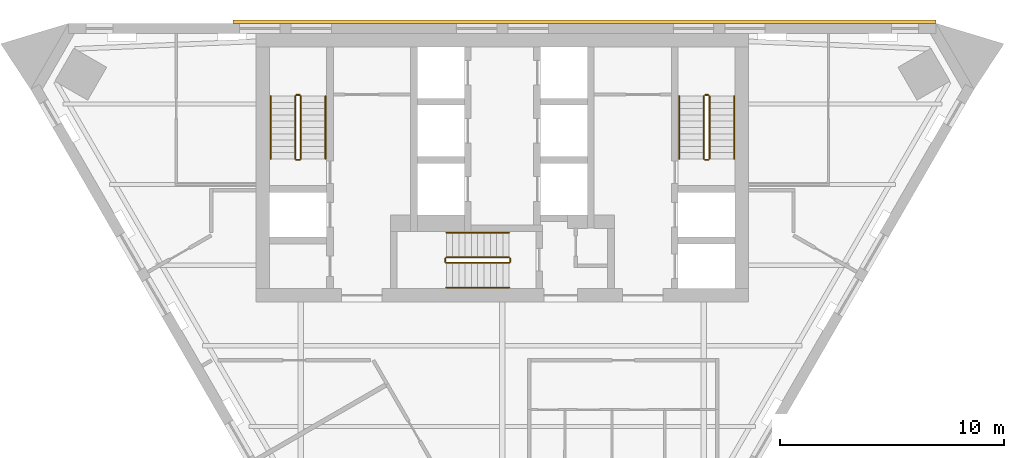
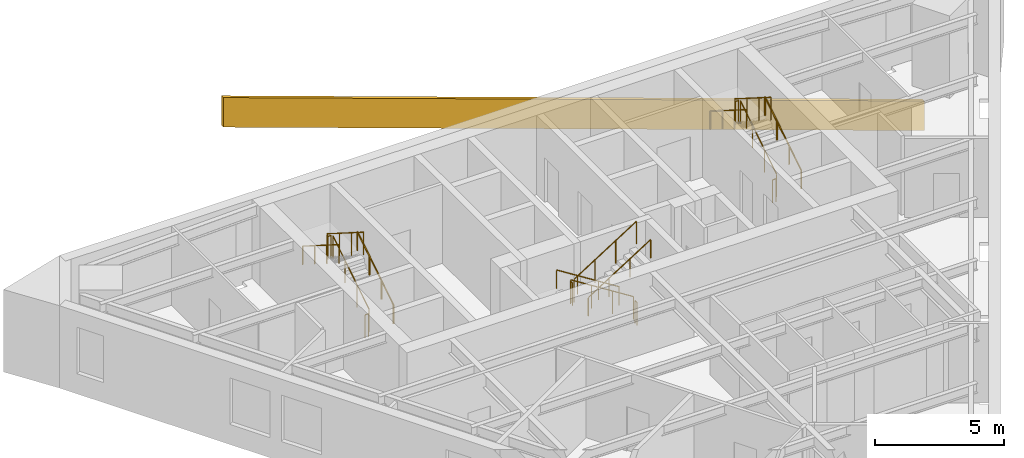
# One storey, part 6 of 6: 18 railings, 1 covering.
"""IFC4 building model written with IfcOpenShell, lengths in metres."""

from ifc_helpers import new_model, si_unit, direction, frame, origin, origin_2d, place, context, subcontext, project, spatial, polyline, circle, outline, extrude, material, layer, layer_set, type_object, element, save


model = new_model("IFC4")

# Units and contexts
model_context = context("Model", 3, precision=1e-05, world=origin(), true_north=direction((0.0, 1.0)))
body_context = subcontext(model_context, "Body", "Model", "MODEL_VIEW")
ifc_project = project(units=[si_unit("LENGTHUNIT", "METRE"), si_unit("AREAUNIT", "SQUARE_METRE"), si_unit("VOLUMEUNIT", "CUBIC_METRE"), si_unit("PLANEANGLEUNIT", "RADIAN"), si_unit("MASSUNIT", "GRAM", prefix="KILO")], contexts=[model_context])

# Site, building, storey
site_placement = place(None, origin())
site = spatial("IfcSite", under=ifc_project, at=site_placement, CompositionType="ELEMENT")
building_placement = place(site_placement, origin())
building = spatial("IfcBuilding", under=site, at=building_placement, Name="Aloe Facet Convention Tower", CompositionType="ELEMENT")
storey_placement = place(building_placement, frame((0.0, 0.0, 184.10009765625)))
storey = spatial("IfcBuildingStorey", under=building, at=storey_placement, Name="L46", CompositionType="ELEMENT", Elevation=184.10009765625)

# Railings
ifc_material_1 = material(Name="Steel S355 balustrade", Category="steel")
railing_type_1 = type_object("IfcRailingType", Name="CR-RL-GUARD", PredefinedType="GUARDRAIL", material=ifc_material_1)
railing_1_placement = place(storey_placement, frame((71.0, 128.949951171875, 0.17724609375)))
element("IfcRailing", 1, at=railing_1_placement, inside=storey, type_object=railing_type_1, Name="L46 ST1 stair guard 1", PredefinedType="GUARDRAIL", context=body_context, shape_type="SweptSolid", body=[
    extrude(circle(Radius=0.02392578125, at=origin_2d()), frame((0.0, 0.0, 1.076171875), z_axis=(0.0, 0.844908973607, 0.534910110503), x_axis=(-1.0, 0.0, 0.0)), (0.0, 0.0, 1.0), 3.31396484375),
    extrude(circle(Radius=0.02099609375, at=origin_2d()), origin(), (0.0, 0.0, 1.0), 1.052001953125),
    extrude(circle(Radius=0.02099609375, at=origin_2d()), frame((0.0, 0.933349609375, 0.5908203125)), (0.0, 0.0, 1.0), 1.052001953125),
    extrude(circle(Radius=0.02099609375, at=origin_2d()), frame((0.0, 1.86669921875, 1.181884765625)), (0.0, 0.0, 1.0), 1.052001953125),
    extrude(circle(Radius=0.02099609375, at=origin_2d()), frame((0.0, 2.800048828125, 1.772705078125)), (0.0, 0.0, 1.0), 1.052001953125),
])
railing_2_placement = place(storey_placement, frame((70.949951171875, 131.800048828125, 1.949951171875)))
element("IfcRailing", 2, at=railing_2_placement, inside=storey, type_object=railing_type_1, Name="L46 ST1 stair guard 2", PredefinedType="GUARDRAIL", context=body_context, shape_type="SweptSolid", body=[
    extrude(circle(Radius=0.02392578125, at=origin_2d()), frame((0.0, 0.0, 1.076171875), z_axis=(-1.0, 0.0, 0.0), x_axis=(0.0, -1.0, 0.0)), (0.0, 0.0, 1.0), 0.14990234375),
    extrude(circle(Radius=0.02099609375, at=origin_2d()), origin(), (0.0, 0.0, 1.0), 1.052001953125),
    extrude(circle(Radius=0.02099609375, at=origin_2d()), frame((-0.14990234375, 0.0, 0.0)), (0.0, 0.0, 1.0), 1.052001953125),
])
railing_3_placement = place(storey_placement, frame((70.75, 131.75, 2.127197265625)))
element("IfcRailing", 3, at=railing_3_placement, inside=storey, type_object=railing_type_1, Name="L46 ST1 stair guard 3", PredefinedType="GUARDRAIL", context=body_context, shape_type="SweptSolid", body=[
    extrude(circle(Radius=0.02392578125, at=origin_2d()), frame((0.0, 0.0, 1.076171875), z_axis=(0.0, -0.844908973607, 0.534910110503), x_axis=(1.0, 0.0, 0.0)), (0.0, 0.0, 1.0), 3.31396484375),
    extrude(circle(Radius=0.02099609375, at=origin_2d()), origin(), (0.0, 0.0, 1.0), 1.052001953125),
    extrude(circle(Radius=0.02099609375, at=origin_2d()), frame((0.0, -0.933349609375, 0.5908203125)), (0.0, 0.0, 1.0), 1.052001953125),
    extrude(circle(Radius=0.02099609375, at=origin_2d()), frame((0.0, -1.86669921875, 1.181884765625)), (0.0, 0.0, 1.0), 1.052001953125),
    extrude(circle(Radius=0.02099609375, at=origin_2d()), frame((0.0, -2.800048828125, 1.772705078125)), (0.0, 0.0, 1.0), 1.052001953125),
])
railing_4_placement = place(storey_placement, frame((70.949951171875, 128.89990234375, 0.0)))
element("IfcRailing", 4, at=railing_4_placement, inside=storey, type_object=railing_type_1, Name="L46 ST1 stair guard 4", PredefinedType="GUARDRAIL", context=body_context, shape_type="SweptSolid", body=[
    extrude(circle(Radius=0.02392578125, at=origin_2d()), frame((0.0, 0.0, 1.076171875), z_axis=(-1.0, 0.0, 0.0), x_axis=(0.0, -1.0, 0.0)), (0.0, 0.0, 1.0), 0.14990234375),
    extrude(circle(Radius=0.02099609375, at=origin_2d()), origin(), (0.0, 0.0, 1.0), 1.052001953125),
    extrude(circle(Radius=0.02099609375, at=origin_2d()), frame((-0.14990234375, 0.0, 0.0)), (0.0, 0.0, 1.0), 1.052001953125),
])
railing_5_placement = place(storey_placement, frame((89.25, 128.949951171875, 0.17724609375)))
element("IfcRailing", 5, at=railing_5_placement, inside=storey, type_object=railing_type_1, Name="L46 ST2 stair guard 1", PredefinedType="GUARDRAIL", context=body_context, shape_type="SweptSolid", body=[
    extrude(circle(Radius=0.02392578125, at=origin_2d()), frame((0.0, 0.0, 1.076171875), z_axis=(0.0, 0.844908973607, 0.534910110503), x_axis=(-1.0, 0.0, 0.0)), (0.0, 0.0, 1.0), 3.31396484375),
    extrude(circle(Radius=0.02099609375, at=origin_2d()), origin(), (0.0, 0.0, 1.0), 1.052001953125),
    extrude(circle(Radius=0.02099609375, at=origin_2d()), frame((0.0, 0.933349609375, 0.5908203125)), (0.0, 0.0, 1.0), 1.052001953125),
    extrude(circle(Radius=0.02099609375, at=origin_2d()), frame((0.0, 1.86669921875, 1.181884765625)), (0.0, 0.0, 1.0), 1.052001953125),
    extrude(circle(Radius=0.02099609375, at=origin_2d()), frame((0.0, 2.800048828125, 1.772705078125)), (0.0, 0.0, 1.0), 1.052001953125),
])
railing_6_placement = place(storey_placement, frame((89.199951171875, 131.800048828125, 1.949951171875)))
element("IfcRailing", 6, at=railing_6_placement, inside=storey, type_object=railing_type_1, Name="L46 ST2 stair guard 2", PredefinedType="GUARDRAIL", context=body_context, shape_type="SweptSolid", body=[
    extrude(circle(Radius=0.02392578125, at=origin_2d()), frame((0.0, 0.0, 1.076171875), z_axis=(-1.0, 0.0, 0.0), x_axis=(0.0, -1.0, 0.0)), (0.0, 0.0, 1.0), 0.14990234375),
    extrude(circle(Radius=0.02099609375, at=origin_2d()), origin(), (0.0, 0.0, 1.0), 1.052001953125),
    extrude(circle(Radius=0.02099609375, at=origin_2d()), frame((-0.14990234375, 0.0, 0.0)), (0.0, 0.0, 1.0), 1.052001953125),
])
railing_7_placement = place(storey_placement, frame((89.0, 131.75, 2.127197265625)))
element("IfcRailing", 7, at=railing_7_placement, inside=storey, type_object=railing_type_1, Name="L46 ST2 stair guard 3", PredefinedType="GUARDRAIL", context=body_context, shape_type="SweptSolid", body=[
    extrude(circle(Radius=0.02392578125, at=origin_2d()), frame((0.0, 0.0, 1.076171875), z_axis=(0.0, -0.844908973607, 0.534910110503), x_axis=(1.0, 0.0, 0.0)), (0.0, 0.0, 1.0), 3.31396484375),
    extrude(circle(Radius=0.02099609375, at=origin_2d()), origin(), (0.0, 0.0, 1.0), 1.052001953125),
    extrude(circle(Radius=0.02099609375, at=origin_2d()), frame((0.0, -0.933349609375, 0.5908203125)), (0.0, 0.0, 1.0), 1.052001953125),
    extrude(circle(Radius=0.02099609375, at=origin_2d()), frame((0.0, -1.86669921875, 1.181884765625)), (0.0, 0.0, 1.0), 1.052001953125),
    extrude(circle(Radius=0.02099609375, at=origin_2d()), frame((0.0, -2.800048828125, 1.772705078125)), (0.0, 0.0, 1.0), 1.052001953125),
])
railing_8_placement = place(storey_placement, frame((89.199951171875, 128.89990234375, 0.0)))
element("IfcRailing", 8, at=railing_8_placement, inside=storey, type_object=railing_type_1, Name="L46 ST2 stair guard 4", PredefinedType="GUARDRAIL", context=body_context, shape_type="SweptSolid", body=[
    extrude(circle(Radius=0.02392578125, at=origin_2d()), frame((0.0, 0.0, 1.076171875), z_axis=(-1.0, 0.0, 0.0), x_axis=(0.0, -1.0, 0.0)), (0.0, 0.0, 1.0), 0.14990234375),
    extrude(circle(Radius=0.02099609375, at=origin_2d()), origin(), (0.0, 0.0, 1.0), 1.052001953125),
    extrude(circle(Radius=0.02099609375, at=origin_2d()), frame((-0.14990234375, 0.0, 0.0)), (0.0, 0.0, 1.0), 1.052001953125),
])
railing_9_placement = place(storey_placement, frame((80.300048828125, 124.550048828125, 0.17724609375)))
element("IfcRailing", 9, at=railing_9_placement, inside=storey, type_object=railing_type_1, Name="L46 ST3 stair guard 1", PredefinedType="GUARDRAIL", context=body_context, shape_type="SweptSolid", body=[
    extrude(circle(Radius=0.02392578125, at=origin_2d()), frame((0.0, 0.0, 1.076171875), z_axis=(-0.844908973607, 0.0, 0.534910110503), x_axis=(0.0, -1.0, 0.0)), (0.0, 0.0, 1.0), 3.31396484375),
    extrude(circle(Radius=0.02099609375, at=origin_2d()), origin(), (0.0, 0.0, 1.0), 1.052001953125),
    extrude(circle(Radius=0.02099609375, at=origin_2d()), frame((-0.933349609375, 0.0, 0.5908203125)), (0.0, 0.0, 1.0), 1.052001953125),
    extrude(circle(Radius=0.02099609375, at=origin_2d()), frame((-1.86669921875, 0.0, 1.181884765625)), (0.0, 0.0, 1.0), 1.052001953125),
    extrude(circle(Radius=0.02099609375, at=origin_2d()), frame((-2.800048828125, 0.0, 1.772705078125)), (0.0, 0.0, 1.0), 1.052001953125),
])
railing_10_placement = place(storey_placement, frame((77.449951171875, 124.5, 1.949951171875)))
element("IfcRailing", 10, at=railing_10_placement, inside=storey, type_object=railing_type_1, Name="L46 ST3 stair guard 2", PredefinedType="GUARDRAIL", context=body_context, shape_type="SweptSolid", body=[
    extrude(circle(Radius=0.02392578125, at=origin_2d()), frame((0.0, 0.0, 1.076171875), z_axis=(0.0, -1.0, 0.0), x_axis=(1.0, 0.0, 0.0)), (0.0, 0.0, 1.0), 0.14990234375),
    extrude(circle(Radius=0.02099609375, at=origin_2d()), origin(), (0.0, 0.0, 1.0), 1.052001953125),
    extrude(circle(Radius=0.02099609375, at=origin_2d()), frame((0.0, -0.14990234375, 0.0)), (0.0, 0.0, 1.0), 1.052001953125),
])
railing_11_placement = place(storey_placement, frame((77.5, 124.300048828125, 2.127197265625)))
element("IfcRailing", 11, at=railing_11_placement, inside=storey, type_object=railing_type_1, Name="L46 ST3 stair guard 3", PredefinedType="GUARDRAIL", context=body_context, shape_type="SweptSolid", body=[
    extrude(circle(Radius=0.02392578125, at=origin_2d()), frame((0.0, 0.0, 1.076171875), z_axis=(0.844908973607, 0.0, 0.534910110503), x_axis=(0.0, 1.0, 0.0)), (0.0, 0.0, 1.0), 3.31396484375),
    extrude(circle(Radius=0.02099609375, at=origin_2d()), origin(), (0.0, 0.0, 1.0), 1.052001953125),
    extrude(circle(Radius=0.02099609375, at=origin_2d()), frame((0.933349609375, 0.0, 0.5908203125)), (0.0, 0.0, 1.0), 1.052001953125),
    extrude(circle(Radius=0.02099609375, at=origin_2d()), frame((1.86669921875, 0.0, 1.181884765625)), (0.0, 0.0, 1.0), 1.052001953125),
    extrude(circle(Radius=0.02099609375, at=origin_2d()), frame((2.800048828125, 0.0, 1.772705078125)), (0.0, 0.0, 1.0), 1.052001953125),
])
railing_12_placement = place(storey_placement, frame((80.35009765625, 124.5, 0.0)))
element("IfcRailing", 12, at=railing_12_placement, inside=storey, type_object=railing_type_1, Name="L46 ST3 stair guard 4", PredefinedType="GUARDRAIL", context=body_context, shape_type="SweptSolid", body=[
    extrude(circle(Radius=0.02392578125, at=origin_2d()), frame((0.0, 0.0, 1.076171875), z_axis=(0.0, -1.0, 0.0), x_axis=(1.0, 0.0, 0.0)), (0.0, 0.0, 1.0), 0.14990234375),
    extrude(circle(Radius=0.02099609375, at=origin_2d()), origin(), (0.0, 0.0, 1.0), 1.052001953125),
    extrude(circle(Radius=0.02099609375, at=origin_2d()), frame((0.0, -0.14990234375, 0.0)), (0.0, 0.0, 1.0), 1.052001953125),
])
ifc_material_2 = material(Name="Steel S355 handrail", Category="steel")
railing_type_2 = type_object("IfcRailingType", Name="CR-RL-HAND", PredefinedType="HANDRAIL", material=ifc_material_2)
railing_13_placement = place(storey_placement, frame((72.10009765625, 128.949951171875, 0.17724609375)))
element("IfcRailing", 13, at=railing_13_placement, inside=storey, type_object=railing_type_2, Name="L46 ST1 stair handrail 1", PredefinedType="HANDRAIL", context=body_context, shape_type="SweptSolid", body=[
    extrude(circle(Radius=0.02392578125, at=origin_2d()), frame((0.0, 0.0, 0.8759765625), z_axis=(0.0, 0.844908973607, 0.534910110503), x_axis=(-1.0, 0.0, 0.0)), (0.0, 0.0, 1.0), 3.31396484375),
    extrude(circle(Radius=0.02099609375, at=origin_2d()), origin(), (0.0, 0.0, 1.0), 0.851806640625),
    extrude(circle(Radius=0.02099609375, at=origin_2d()), frame((0.0, 0.933349609375, 0.5908203125)), (0.0, 0.0, 1.0), 0.851806640625),
    extrude(circle(Radius=0.02099609375, at=origin_2d()), frame((0.0, 1.86669921875, 1.181884765625)), (0.0, 0.0, 1.0), 0.851806640625),
    extrude(circle(Radius=0.02099609375, at=origin_2d()), frame((0.0, 2.800048828125, 1.772705078125)), (0.0, 0.0, 1.0), 0.851806640625),
])
railing_14_placement = place(storey_placement, frame((69.64990234375, 131.75, 2.127197265625)))
element("IfcRailing", 14, at=railing_14_placement, inside=storey, type_object=railing_type_2, Name="L46 ST1 stair handrail 2", PredefinedType="HANDRAIL", context=body_context, shape_type="SweptSolid", body=[
    extrude(circle(Radius=0.02392578125, at=origin_2d()), frame((0.0, 0.0, 0.8759765625), z_axis=(0.0, -0.844908973607, 0.534910110503), x_axis=(1.0, 0.0, 0.0)), (0.0, 0.0, 1.0), 3.31396484375),
    extrude(circle(Radius=0.02099609375, at=origin_2d()), origin(), (0.0, 0.0, 1.0), 0.851806640625),
    extrude(circle(Radius=0.02099609375, at=origin_2d()), frame((0.0, -0.933349609375, 0.5908203125)), (0.0, 0.0, 1.0), 0.851806640625),
    extrude(circle(Radius=0.02099609375, at=origin_2d()), frame((0.0, -1.86669921875, 1.181884765625)), (0.0, 0.0, 1.0), 0.851806640625),
    extrude(circle(Radius=0.02099609375, at=origin_2d()), frame((0.0, -2.800048828125, 1.772705078125)), (0.0, 0.0, 1.0), 0.851806640625),
])
railing_15_placement = place(storey_placement, frame((90.35009765625, 128.949951171875, 0.17724609375)))
element("IfcRailing", 15, at=railing_15_placement, inside=storey, type_object=railing_type_2, Name="L46 ST2 stair handrail 1", PredefinedType="HANDRAIL", context=body_context, shape_type="SweptSolid", body=[
    extrude(circle(Radius=0.02392578125, at=origin_2d()), frame((0.0, 0.0, 0.8759765625), z_axis=(0.0, 0.844908973607, 0.534910110503), x_axis=(-1.0, 0.0, 0.0)), (0.0, 0.0, 1.0), 3.31396484375),
    extrude(circle(Radius=0.02099609375, at=origin_2d()), origin(), (0.0, 0.0, 1.0), 0.851806640625),
    extrude(circle(Radius=0.02099609375, at=origin_2d()), frame((0.0, 0.933349609375, 0.5908203125)), (0.0, 0.0, 1.0), 0.851806640625),
    extrude(circle(Radius=0.02099609375, at=origin_2d()), frame((0.0, 1.86669921875, 1.181884765625)), (0.0, 0.0, 1.0), 0.851806640625),
    extrude(circle(Radius=0.02099609375, at=origin_2d()), frame((0.0, 2.800048828125, 1.772705078125)), (0.0, 0.0, 1.0), 0.851806640625),
])
railing_16_placement = place(storey_placement, frame((87.89990234375, 131.75, 2.127197265625)))
element("IfcRailing", 16, at=railing_16_placement, inside=storey, type_object=railing_type_2, Name="L46 ST2 stair handrail 2", PredefinedType="HANDRAIL", context=body_context, shape_type="SweptSolid", body=[
    extrude(circle(Radius=0.02392578125, at=origin_2d()), frame((0.0, 0.0, 0.8759765625), z_axis=(0.0, -0.844908973607, 0.534910110503), x_axis=(1.0, 0.0, 0.0)), (0.0, 0.0, 1.0), 3.31396484375),
    extrude(circle(Radius=0.02099609375, at=origin_2d()), origin(), (0.0, 0.0, 1.0), 0.851806640625),
    extrude(circle(Radius=0.02099609375, at=origin_2d()), frame((0.0, -0.933349609375, 0.5908203125)), (0.0, 0.0, 1.0), 0.851806640625),
    extrude(circle(Radius=0.02099609375, at=origin_2d()), frame((0.0, -1.86669921875, 1.181884765625)), (0.0, 0.0, 1.0), 0.851806640625),
    extrude(circle(Radius=0.02099609375, at=origin_2d()), frame((0.0, -2.800048828125, 1.772705078125)), (0.0, 0.0, 1.0), 0.851806640625),
])
railing_17_placement = place(storey_placement, frame((80.300048828125, 125.64990234375, 0.17724609375)))
element("IfcRailing", 17, at=railing_17_placement, inside=storey, type_object=railing_type_2, Name="L46 ST3 stair handrail 1", PredefinedType="HANDRAIL", context=body_context, shape_type="SweptSolid", body=[
    extrude(circle(Radius=0.02392578125, at=origin_2d()), frame((0.0, 0.0, 0.8759765625), z_axis=(-0.844908973607, 0.0, 0.534910110503), x_axis=(0.0, -1.0, 0.0)), (0.0, 0.0, 1.0), 3.31396484375),
    extrude(circle(Radius=0.02099609375, at=origin_2d()), origin(), (0.0, 0.0, 1.0), 0.851806640625),
    extrude(circle(Radius=0.02099609375, at=origin_2d()), frame((-0.933349609375, 0.0, 0.5908203125)), (0.0, 0.0, 1.0), 0.851806640625),
    extrude(circle(Radius=0.02099609375, at=origin_2d()), frame((-1.86669921875, 0.0, 1.181884765625)), (0.0, 0.0, 1.0), 0.851806640625),
    extrude(circle(Radius=0.02099609375, at=origin_2d()), frame((-2.800048828125, 0.0, 1.772705078125)), (0.0, 0.0, 1.0), 0.851806640625),
])
railing_18_placement = place(storey_placement, frame((77.5, 123.199951171875, 2.127197265625)))
element("IfcRailing", 18, at=railing_18_placement, inside=storey, type_object=railing_type_2, Name="L46 ST3 stair handrail 2", PredefinedType="HANDRAIL", context=body_context, shape_type="SweptSolid", body=[
    extrude(circle(Radius=0.02392578125, at=origin_2d()), frame((0.0, 0.0, 0.8759765625), z_axis=(0.844908973607, 0.0, 0.534910110503), x_axis=(0.0, 1.0, 0.0)), (0.0, 0.0, 1.0), 3.31396484375),
    extrude(circle(Radius=0.02099609375, at=origin_2d()), origin(), (0.0, 0.0, 1.0), 0.851806640625),
    extrude(circle(Radius=0.02099609375, at=origin_2d()), frame((0.933349609375, 0.0, 0.5908203125)), (0.0, 0.0, 1.0), 0.851806640625),
    extrude(circle(Radius=0.02099609375, at=origin_2d()), frame((1.86669921875, 0.0, 1.181884765625)), (0.0, 0.0, 1.0), 0.851806640625),
    extrude(circle(Radius=0.02099609375, at=origin_2d()), frame((2.800048828125, 0.0, 1.772705078125)), (0.0, 0.0, 1.0), 0.851806640625),
])

# Covering
ifc_material_3 = material(Name="Bronze oxide fascia sheet")
ifc_layer = layer(ifc_material_3, 0.14990234375)
ifc_layer_set = layer_set([ifc_layer], Name="EV-FASCIA-TERR")
covering_type = type_object("IfcCoveringType", Name="EV-FASCIA-TERR", PredefinedType="CLADDING", material=ifc_layer_set)
covering_placement = place(storey_placement, frame((99.364501953125, 135.14990234375, -3.900146484375), z_axis=(0.0, 1.0, 0.0), x_axis=(-0.942309507873, 0.0, 0.33474287352)))
element("IfcCovering", 19, at=covering_placement, inside=storey, type_object=covering_type, Name="Spiral ribbon zone 4 part 1", PredefinedType="CLADDING", context=body_context, shape_type="SweptSolid", body=[
    extrude(outline(polyline([(0.0, 0.0), (33.30958585356565, 0.0), (33.778193186759545, 1.3191412886092433), (0.46868905752824724, 1.319371344641438), (0.0, 0.0)])), origin(), (0.0, 0.0, -1.0), 0.14990234375),
])

save(model, "model.ifc")
